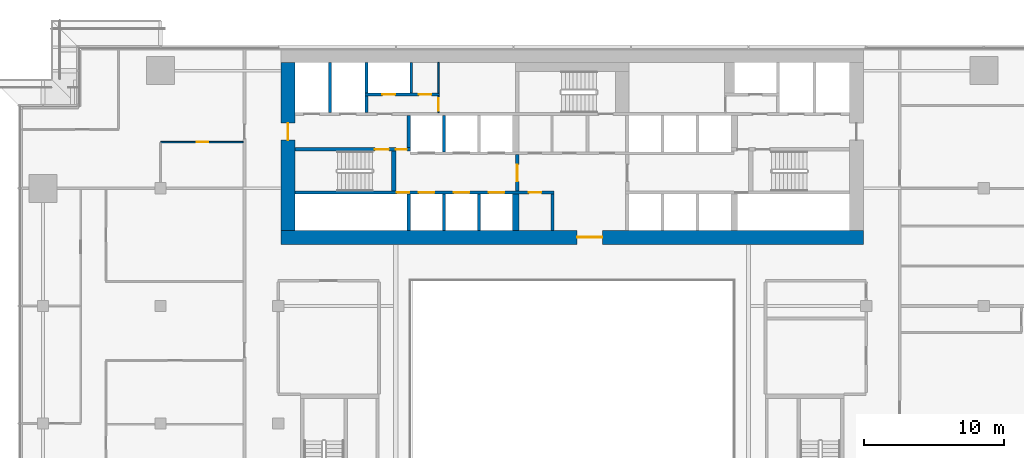
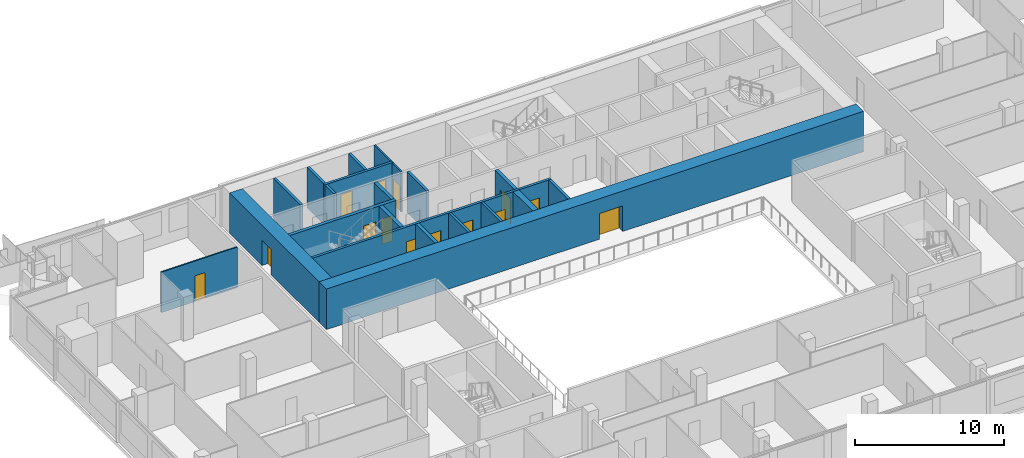
# One storey, part 21 of 30: 21 walls, 14 doors, 14 openings.
"""IFC4 building model written with IfcOpenShell, lengths in metres."""

from ifc_helpers import new_model, si_unit, direction, frame, frame_2d, origin, place, context, subcontext, project, spatial, rectangle, extrude, material, layer, layer_set, type_object, element, fill, save


model = new_model("IFC4")

# Units and contexts
model_context = context("Model", 3, precision=1e-05, world=origin(), true_north=direction((0.0, 1.0)))
body_context = subcontext(model_context, "Body", "Model", "MODEL_VIEW")
ifc_project = project(units=[si_unit("LENGTHUNIT", "METRE"), si_unit("AREAUNIT", "SQUARE_METRE"), si_unit("VOLUMEUNIT", "CUBIC_METRE"), si_unit("PLANEANGLEUNIT", "RADIAN"), si_unit("MASSUNIT", "GRAM", prefix="KILO")], contexts=[model_context])

# Site, building, storey
site_placement = place(None, origin())
site = spatial("IfcSite", under=ifc_project, at=site_placement, CompositionType="ELEMENT")
building_placement = place(site_placement, origin())
building = spatial("IfcBuilding", under=site, at=building_placement, Name="Saffron Gate Tower", CompositionType="ELEMENT")
storey_placement = place(building_placement, frame((0.0, 0.0, 127.64990234375)))
storey = spatial("IfcBuildingStorey", under=building, at=storey_placement, Name="L30", CompositionType="ELEMENT", Elevation=127.64990234375)

# Wall
ifc_material_1 = material(Name="Gypsum board partition on steel studs", Category="steel")
ifc_layer_1 = layer(ifc_material_1, 0.199951171875)
ifc_layer_set_1 = layer_set([ifc_layer_1], Name="CW10 Core partition 200")
wall_type_1 = type_object("IfcWallType", Name="CW10 Core partition 200", PredefinedType="PARTITIONING", material=ifc_layer_set_1)
wall_1_placement = place(storey_placement, frame((86.199951171875, 62.39990234375, 0.0), z_axis=(0.0, 0.0, 1.0), x_axis=(0.0, 1.0, 0.0)))
element("IfcWall", 1, at=wall_1_placement, inside=storey, type_object=wall_type_1, Name="Wall CW10-L30-9", PredefinedType="PARTITIONING", context=body_context, shape_type="SweptSolid", body=[
    extrude(rectangle(XDim=2.60009765625, YDim=0.199951171875, at=frame_2d((1.300048828125, 0.0))), origin(), (0.0, 0.0, 1.0), 3.320068359375),
])

# Wall, opening, door
ifc_material_2 = material(Name="Concrete C70", Category="concrete")
ifc_layer_2 = layer(ifc_material_2, 1.0)
ifc_layer_set_2 = layer_set([ifc_layer_2], Name="CW12 RC core wall 1000 C70")
wall_type_2 = type_object("IfcWallType", Name="CW12 RC core wall 1000 C70", PredefinedType="SOLIDWALL", material=ifc_layer_set_2)
wall_2_placement = place(storey_placement, frame((66.800048828125, 61.89990234375, 0.0), z_axis=(0.0, 0.0, 1.0), x_axis=(1.0, 0.0, 0.0)))
wall_2 = element("IfcWall", 2, at=wall_2_placement, inside=storey, type_object=wall_type_2, Name="Wall CW12-L30-1", PredefinedType="SOLIDWALL", context=body_context, shape_type="SweptSolid", body=[
    extrude(rectangle(XDim=41.599853515625, YDim=1.0, at=frame_2d((20.7998046875, 0.0))), origin(), (0.0, 0.0, 1.0), 3.320068359375),
])
opening_1_placement = place(wall_2_placement, frame((21.14990234375, 0.0, 0.0)))
opening_1 = element("IfcOpeningElement", 3, at=opening_1_placement, cuts=wall_2, Name="Opening CR-09", PredefinedType="OPENING", context=body_context, shape_type="SweptSolid", body=[
    extrude(rectangle(XDim=1.800048828125, YDim=2.10009765625, at=frame_2d((0.89990234375, 1.050048828125))), frame((0.0, 0.510009765625, 0.0), z_axis=(0.0, -1.0, 0.0), x_axis=(1.0, 0.0, 0.0)), (0.0, 0.0, 1.0), 1.02001953125),
])
ifc_material_3 = material(Name="Steel fire door set", Category="steel")
door_type_1 = type_object("IfcDoorType", Name="CD1 Core entrance door 1800x2100 EI 120", OperationType="NOTDEFINED", PredefinedType="DOOR", material=ifc_material_3)
door_1_placement = place(opening_1_placement, origin())
door_1 = element("IfcDoor", 4, at=door_1_placement, inside=storey, type_object=door_type_1, Name="DOOR CR-09", OperationType="DOUBLE_DOOR_SINGLE_SWING", OverallHeight=2.10009765625, OverallWidth=1.800048828125, PredefinedType="DOOR", context=body_context, shape_type="SweptSolid", body=[
    extrude(rectangle(XDim=1.800048828125, YDim=2.10009765625, at=frame_2d((0.89990234375, 1.050048828125))), frame((0.0, 0.02490234375, 0.0), z_axis=(0.0, -1.0, 0.0), x_axis=(1.0, 0.0, 0.0)), (0.0, 0.0, 1.0), 0.050048828125),
])
fill(opening_1, door_1)

wall_3_placement = place(storey_placement, frame((67.300048828125, 62.39990234375, 0.0), z_axis=(0.0, 0.0, 1.0), x_axis=(0.0, 1.0, 0.0)))
wall_3 = element("IfcWall", 5, at=wall_3_placement, inside=storey, type_object=wall_type_2, Name="Wall CW12-L30-3", PredefinedType="SOLIDWALL", context=body_context, shape_type="SweptSolid", body=[
    extrude(rectangle(XDim=12.0, YDim=1.0, at=frame_2d((6.0, 0.0))), origin(), (0.0, 0.0, 1.0), 3.320068359375),
])
opening_2_placement = place(wall_3_placement, frame((6.449951171875, 0.0, 0.0)))
opening_2 = element("IfcOpeningElement", 6, at=opening_2_placement, cuts=wall_3, Name="Opening CR-10", PredefinedType="OPENING", context=body_context, shape_type="SweptSolid", body=[
    extrude(rectangle(XDim=1.199951171875, YDim=2.10009765625, at=frame_2d((0.60009765625, 1.050048828125))), frame((0.0, 0.510009765625, 0.0), z_axis=(0.0, -1.0, 0.0), x_axis=(1.0, 0.0, 0.0)), (0.0, 0.0, 1.0), 1.02001953125),
])
door_type_2 = type_object("IfcDoorType", Name="CD7 Core entrance door 1200x2100 EI 120", OperationType="NOTDEFINED", PredefinedType="DOOR", material=ifc_material_3)
door_2_placement = place(opening_2_placement, origin())
door_2 = element("IfcDoor", 7, at=door_2_placement, inside=storey, type_object=door_type_2, Name="DOOR CR-10", OperationType="SINGLE_SWING_LEFT", OverallHeight=2.10009765625, OverallWidth=1.199951171875, PredefinedType="DOOR", context=body_context, shape_type="SweptSolid", body=[
    extrude(rectangle(XDim=1.199951171875, YDim=2.10009765625, at=frame_2d((0.60009765625, 1.050048828125))), frame((0.0, 0.02490234375, 0.0), z_axis=(0.0, -1.0, 0.0), x_axis=(1.0, 0.0, 0.0)), (0.0, 0.0, 1.0), 0.050048828125),
])
fill(opening_2, door_2)

# Wall
ifc_layer_3 = layer(ifc_material_2, 0.25)
ifc_layer_set_3 = layer_set([ifc_layer_3], Name="CW2 RC core wall 250 C70")
wall_type_3 = type_object("IfcWallType", Name="CW2 RC core wall 250 C70", PredefinedType="SOLIDWALL", material=ifc_layer_set_3)
wall_4_placement = place(storey_placement, frame((75.925048828125, 62.39990234375, 0.0), z_axis=(0.0, 0.0, 1.0), x_axis=(0.0, 1.0, 0.0)))
element("IfcWall", 8, at=wall_4_placement, inside=storey, type_object=wall_type_3, Name="Wall CW2-L30-5", PredefinedType="SOLIDWALL", context=body_context, shape_type="SweptSolid", body=[
    extrude(rectangle(XDim=2.60009765625, YDim=0.25, at=frame_2d((1.300048828125, 0.0))), origin(), (0.0, 0.0, 1.0), 3.320068359375),
])

# Wall, opening, door
wall_5_placement = place(storey_placement, frame((83.675048828125, 65.199951171875, 0.0), z_axis=(0.0, 0.0, 1.0), x_axis=(0.0, 1.0, 0.0)))
wall_5 = element("IfcWall", 9, at=wall_5_placement, inside=storey, type_object=wall_type_3, Name="Wall CW2-L30-17", PredefinedType="SOLIDWALL", context=body_context, shape_type="SweptSolid", body=[
    extrude(rectangle(XDim=2.60009765625, YDim=0.25, at=frame_2d((1.300048828125, 0.0))), origin(), (0.0, 0.0, 1.0), 3.320068359375),
])
opening_3_placement = place(wall_5_placement, frame((0.699951171875, 0.0, 0.0)))
opening_3 = element("IfcOpeningElement", 10, at=opening_3_placement, cuts=wall_5, Name="Opening CR-07", PredefinedType="OPENING", context=body_context, shape_type="SweptSolid", body=[
    extrude(rectangle(XDim=1.199951171875, YDim=2.10009765625, at=frame_2d((0.60009765625, 1.050048828125))), frame((0.0, 0.135009765625, 0.0), z_axis=(0.0, -1.0, 0.0), x_axis=(1.0, 0.0, 0.0)), (0.0, 0.0, 1.0), 0.27001953125),
])
door_type_3 = type_object("IfcDoorType", Name="CD3 Lobby door 1200x2100 EI 120", OperationType="NOTDEFINED", PredefinedType="DOOR", material=ifc_material_3)
door_3_placement = place(opening_3_placement, origin())
door_3 = element("IfcDoor", 11, at=door_3_placement, inside=storey, type_object=door_type_3, Name="DOOR CR-07", OperationType="SINGLE_SWING_RIGHT", OverallHeight=2.10009765625, OverallWidth=1.199951171875, PredefinedType="DOOR", context=body_context, shape_type="SweptSolid", body=[
    extrude(rectangle(XDim=1.199951171875, YDim=2.10009765625, at=frame_2d((0.60009765625, 1.050048828125))), frame((0.0, 0.02490234375, 0.0), z_axis=(0.0, -1.0, 0.0), x_axis=(1.0, 0.0, 0.0)), (0.0, 0.0, 1.0), 0.050048828125),
])
fill(opening_3, door_3)

# Wall, openings, doors
wall_6_placement = place(storey_placement, frame((67.800048828125, 68.175048828125, 0.0), z_axis=(0.0, 0.0, 1.0), x_axis=(1.0, 0.0, 0.0)))
wall_6 = element("IfcWall", 12, at=wall_6_placement, inside=storey, type_object=wall_type_3, Name="Wall CW2-L30-30", PredefinedType="SOLIDWALL", context=body_context, shape_type="SweptSolid", body=[
    extrude(rectangle(XDim=8.25, YDim=0.25, at=frame_2d((4.125, 0.0))), origin(), (0.0, 0.0, 1.0), 3.320068359375),
])
opening_4_placement = place(wall_6_placement, frame((5.699951171875, 0.0, 0.0)))
opening_4 = element("IfcOpeningElement", 13, at=opening_4_placement, cuts=wall_6, Name="Opening CR-15", PredefinedType="OPENING", context=body_context, shape_type="SweptSolid", body=[
    extrude(rectangle(XDim=1.0, YDim=2.10009765625, at=frame_2d((0.5, 1.050048828125))), frame((0.0, 0.135009765625, 0.0), z_axis=(0.0, -1.0, 0.0), x_axis=(1.0, 0.0, 0.0)), (0.0, 0.0, 1.0), 0.27001953125),
])
opening_5_placement = place(wall_6_placement, frame((7.199951171875, 0.0, 0.0)))
opening_5 = element("IfcOpeningElement", 14, at=opening_5_placement, cuts=wall_6, Name="Opening CR-06", PredefinedType="OPENING", context=body_context, shape_type="SweptSolid", body=[
    extrude(rectangle(XDim=0.800048828125, YDim=2.10009765625, at=frame_2d((0.39990234375, 1.050048828125))), frame((0.0, 0.135009765625, 0.0), z_axis=(0.0, -1.0, 0.0), x_axis=(1.0, 0.0, 0.0)), (0.0, 0.0, 1.0), 0.27001953125),
])
door_type_4 = type_object("IfcDoorType", Name="CD5 Stair door 1000x2100 EI 120", OperationType="NOTDEFINED", PredefinedType="DOOR", material=ifc_material_3)
door_4_placement = place(opening_4_placement, origin())
door_4 = element("IfcDoor", 15, at=door_4_placement, inside=storey, type_object=door_type_4, Name="DOOR CR-15", OperationType="SINGLE_SWING_RIGHT", OverallHeight=2.10009765625, OverallWidth=1.0, PredefinedType="DOOR", context=body_context, shape_type="SweptSolid", body=[
    extrude(rectangle(XDim=1.0, YDim=2.10009765625, at=frame_2d((0.5, 1.050048828125))), frame((0.0, 0.02490234375, 0.0), z_axis=(0.0, -1.0, 0.0), x_axis=(1.0, 0.0, 0.0)), (0.0, 0.0, 1.0), 0.050048828125),
])
fill(opening_4, door_4)
door_type_5 = type_object("IfcDoorType", Name="CD6 Lobby door 800x2100 EI 120", OperationType="NOTDEFINED", PredefinedType="DOOR", material=ifc_material_3)
door_5_placement = place(opening_5_placement, origin())
door_5 = element("IfcDoor", 16, at=door_5_placement, inside=storey, type_object=door_type_5, Name="DOOR CR-06", OperationType="SINGLE_SWING_LEFT", OverallHeight=2.10009765625, OverallWidth=0.800048828125, PredefinedType="DOOR", context=body_context, shape_type="SweptSolid", body=[
    extrude(rectangle(XDim=0.800048828125, YDim=2.10009765625, at=frame_2d((0.39990234375, 1.050048828125))), frame((0.0, 0.02490234375, 0.0), z_axis=(0.0, -1.0, 0.0), x_axis=(1.0, 0.0, 0.0)), (0.0, 0.0, 1.0), 0.050048828125),
])
fill(opening_5, door_5)

# Walls
wall_7_placement = place(storey_placement, frame((75.925048828125, 68.300048828125, 0.0), z_axis=(0.0, 0.0, 1.0), x_axis=(0.0, 1.0, 0.0)))
element("IfcWall", 17, at=wall_7_placement, inside=storey, type_object=wall_type_3, Name="Wall CW2-L30-32", PredefinedType="SOLIDWALL", context=body_context, shape_type="SweptSolid", body=[
    extrude(rectangle(XDim=2.300048828125, YDim=0.25, at=frame_2d((1.14990234375, 0.0))), origin(), (0.0, 0.0, 1.0), 3.320068359375),
])
ifc_layer_4 = layer(ifc_material_2, 0.199951171875)
ifc_layer_set_4 = layer_set([ifc_layer_4], Name="CW3 RC core wall 200 C70")
wall_type_4 = type_object("IfcWallType", Name="CW3 RC core wall 200 C70", PredefinedType="SOLIDWALL", material=ifc_layer_set_4)
for number, where, z_axis, x_axis, name in (
    (18, (78.449951171875, 62.39990234375, 0.0), (0.0, 0.0, 1.0), (0.0, 1.0, 0.0), "Wall CW3-L30-6"),
    (19, (80.949951171875, 62.39990234375, 0.0), (0.0, 0.0, 1.0), (0.0, 1.0, 0.0), "Wall CW3-L30-7"),
):
    element("IfcWall", number, at=place(storey_placement, frame(where, z_axis=z_axis, x_axis=x_axis)), inside=storey, type_object=wall_type_4, Name=name, PredefinedType="SOLIDWALL", context=body_context, shape_type="SweptSolid", body=[
        extrude(rectangle(XDim=2.60009765625, YDim=0.199951171875, at=frame_2d((1.300048828125, 0.0))), origin(), (0.0, 0.0, 1.0), 3.320068359375),
    ])

# Wall, openings, doors
wall_8_placement = place(storey_placement, frame((67.800048828125, 65.10009765625, 0.0), z_axis=(0.0, 0.0, 1.0), x_axis=(1.0, 0.0, 0.0)))
wall_8 = element("IfcWall", 20, at=wall_8_placement, inside=storey, type_object=wall_type_4, Name="Wall CW3-L30-14", PredefinedType="SOLIDWALL", context=body_context, shape_type="SweptSolid", body=[
    extrude(rectangle(XDim=18.5, YDim=0.199951171875, at=frame_2d((9.25, 0.0))), origin(), (0.0, 0.0, 1.0), 3.320068359375),
])
opening_6_placement = place(wall_8_placement, frame((7.27001953125, 0.0, 0.0)))
opening_6 = element("IfcOpeningElement", 21, at=opening_6_placement, cuts=wall_8, Name="Opening CR-49", PredefinedType="OPENING", context=body_context, shape_type="SweptSolid", body=[
    extrude(rectangle(XDim=0.89990234375, YDim=2.10009765625, at=frame_2d((0.449951171875, 1.050048828125))), frame((0.0, 0.10986328125, 0.0), z_axis=(0.0, -1.0, 0.0), x_axis=(1.0, 0.0, 0.0)), (0.0, 0.0, 1.0), 0.219970703125),
])
opening_7_placement = place(wall_8_placement, frame((8.85009765625, 0.0, 0.0)))
opening_7 = element("IfcOpeningElement", 22, at=opening_7_placement, cuts=wall_8, Name="Opening LD-LR1", PredefinedType="OPENING", context=body_context, shape_type="SweptSolid", body=[
    extrude(rectangle(XDim=1.10009765625, YDim=2.10009765625, at=frame_2d((0.550048828125, 1.050048828125))), frame((0.0, 0.10986328125, 0.0), z_axis=(0.0, -1.0, 0.0), x_axis=(1.0, 0.0, 0.0)), (0.0, 0.0, 1.0), 0.219970703125),
])
opening_8_placement = place(wall_8_placement, frame((11.35009765625, 0.0, 0.0)))
opening_8 = element("IfcOpeningElement", 23, at=opening_8_placement, cuts=wall_8, Name="Opening LD-LR2", PredefinedType="OPENING", context=body_context, shape_type="SweptSolid", body=[
    extrude(rectangle(XDim=1.10009765625, YDim=2.10009765625, at=frame_2d((0.550048828125, 1.050048828125))), frame((0.0, 0.10986328125, 0.0), z_axis=(0.0, -1.0, 0.0), x_axis=(1.0, 0.0, 0.0)), (0.0, 0.0, 1.0), 0.219970703125),
])
opening_9_placement = place(wall_8_placement, frame((13.85009765625, 0.0, 0.0)))
opening_9 = element("IfcOpeningElement", 24, at=opening_9_placement, cuts=wall_8, Name="Opening LD-LR3", PredefinedType="OPENING", context=body_context, shape_type="SweptSolid", body=[
    extrude(rectangle(XDim=1.10009765625, YDim=2.10009765625, at=frame_2d((0.550048828125, 1.050048828125))), frame((0.0, 0.10986328125, 0.0), z_axis=(0.0, -1.0, 0.0), x_axis=(1.0, 0.0, 0.0)), (0.0, 0.0, 1.0), 0.219970703125),
])
opening_10_placement = place(wall_8_placement, frame((16.699951171875, 0.0, 0.0)))
opening_10 = element("IfcOpeningElement", 25, at=opening_10_placement, cuts=wall_8, Name="Opening CR-69", PredefinedType="OPENING", context=body_context, shape_type="SweptSolid", body=[
    extrude(rectangle(XDim=0.89990234375, YDim=2.10009765625, at=frame_2d((0.449951171875, 1.050048828125))), frame((0.0, 0.10986328125, 0.0), z_axis=(0.0, -1.0, 0.0), x_axis=(1.0, 0.0, 0.0)), (0.0, 0.0, 1.0), 0.219970703125),
])
door_type_6 = type_object("IfcDoorType", Name="CD2 Riser door 900x2100 EI 60", OperationType="NOTDEFINED", PredefinedType="DOOR", material=ifc_material_3)
door_6_placement = place(opening_6_placement, origin())
door_6 = element("IfcDoor", 26, at=door_6_placement, inside=storey, type_object=door_type_6, Name="DOOR CR-49", OperationType="SINGLE_SWING_LEFT", OverallHeight=2.10009765625, OverallWidth=0.89990234375, PredefinedType="DOOR", context=body_context, shape_type="SweptSolid", body=[
    extrude(rectangle(XDim=0.89990234375, YDim=2.10009765625, at=frame_2d((0.449951171875, 1.050048828125))), frame((0.0, 0.02490234375, 0.0), z_axis=(0.0, -1.0, 0.0), x_axis=(1.0, 0.0, 0.0)), (0.0, 0.0, 1.0), 0.050048828125),
])
fill(opening_6, door_6)
door_type_7 = type_object("IfcDoorType", Name="CD9 Room door 900x2100 EI 60", OperationType="NOTDEFINED", PredefinedType="DOOR", material=ifc_material_3)
door_7_placement = place(opening_10_placement, origin())
door_7 = element("IfcDoor", 27, at=door_7_placement, inside=storey, type_object=door_type_7, Name="DOOR CR-69", OperationType="SINGLE_SWING_RIGHT", OverallHeight=2.10009765625, OverallWidth=0.89990234375, PredefinedType="DOOR", context=body_context, shape_type="SweptSolid", body=[
    extrude(rectangle(XDim=0.89990234375, YDim=2.10009765625, at=frame_2d((0.449951171875, 1.050048828125))), frame((0.0, 0.02490234375, 0.0), z_axis=(0.0, -1.0, 0.0), x_axis=(1.0, 0.0, 0.0)), (0.0, 0.0, 1.0), 0.050048828125),
])
fill(opening_10, door_7)
ifc_material_4 = material(Name="Stainless steel landing door", Category="steel")
door_type_8 = type_object("IfcDoorType", Name="LD Lift landing door 1100x2100 EI 120", OperationType="SLIDING_TO_LEFT", PredefinedType="DOOR", material=ifc_material_4)
door_8_placement = place(opening_7_placement, origin())
door_8 = element("IfcDoor", 28, at=door_8_placement, inside=storey, type_object=door_type_8, Name="LANDING DOOR LD-LR1", OperationType="SLIDING_TO_LEFT", OverallHeight=2.10009765625, OverallWidth=1.10009765625, PredefinedType="DOOR", context=body_context, shape_type="SweptSolid", body=[
    extrude(rectangle(XDim=1.10009765625, YDim=2.10009765625, at=frame_2d((0.550048828125, 1.050048828125))), frame((0.0, 0.02490234375, 0.0), z_axis=(0.0, -1.0, 0.0), x_axis=(1.0, 0.0, 0.0)), (0.0, 0.0, 1.0), 0.050048828125),
])
fill(opening_7, door_8)
door_9_placement = place(opening_8_placement, origin())
door_9 = element("IfcDoor", 29, at=door_9_placement, inside=storey, type_object=door_type_8, Name="LANDING DOOR LD-LR2", OperationType="SLIDING_TO_LEFT", OverallHeight=2.10009765625, OverallWidth=1.10009765625, PredefinedType="DOOR", context=body_context, shape_type="SweptSolid", body=[
    extrude(rectangle(XDim=1.10009765625, YDim=2.10009765625, at=frame_2d((0.550048828125, 1.050048828125))), frame((0.0, 0.02490234375, 0.0), z_axis=(0.0, -1.0, 0.0), x_axis=(1.0, 0.0, 0.0)), (0.0, 0.0, 1.0), 0.050048828125),
])
fill(opening_8, door_9)
door_10_placement = place(opening_9_placement, origin())
door_10 = element("IfcDoor", 30, at=door_10_placement, inside=storey, type_object=door_type_8, Name="LANDING DOOR LD-LR3", OperationType="SLIDING_TO_LEFT", OverallHeight=2.10009765625, OverallWidth=1.10009765625, PredefinedType="DOOR", context=body_context, shape_type="SweptSolid", body=[
    extrude(rectangle(XDim=1.10009765625, YDim=2.10009765625, at=frame_2d((0.550048828125, 1.050048828125))), frame((0.0, 0.02490234375, 0.0), z_axis=(0.0, -1.0, 0.0), x_axis=(1.0, 0.0, 0.0)), (0.0, 0.0, 1.0), 0.050048828125),
])
fill(opening_9, door_10)

# Walls
wall_9_placement = place(storey_placement, frame((78.449951171875, 68.0, 0.0), z_axis=(0.0, 0.0, 1.0), x_axis=(0.0, 1.0, 0.0)))
element("IfcWall", 31, at=wall_9_placement, inside=storey, type_object=wall_type_4, Name="Wall CW3-L30-21", PredefinedType="SOLIDWALL", context=body_context, shape_type="SweptSolid", body=[
    extrude(rectangle(XDim=2.60009765625, YDim=0.199951171875, at=frame_2d((1.300048828125, 0.0))), origin(), (0.0, 0.0, 1.0), 3.320068359375),
])
wall_10_placement = place(storey_placement, frame((70.300048828125, 70.800048828125, 0.0), z_axis=(0.0, 0.0, 1.0), x_axis=(0.0, 1.0, 0.0)))
element("IfcWall", 32, at=wall_10_placement, inside=storey, type_object=wall_type_4, Name="Wall CW3-L30-35", PredefinedType="SOLIDWALL", context=body_context, shape_type="SweptSolid", body=[
    extrude(rectangle(XDim=3.599853515625, YDim=0.199951171875, at=frame_2d((1.7998046875, 0.0))), origin(), (0.0, 0.0, 1.0), 3.320068359375),
])
wall_11_placement = place(storey_placement, frame((72.89990234375, 70.800048828125, 0.0), z_axis=(0.0, 0.0, 1.0), x_axis=(0.0, 1.0, 0.0)))
element("IfcWall", 33, at=wall_11_placement, inside=storey, type_object=wall_type_4, Name="Wall CW3-L30-36", PredefinedType="SOLIDWALL", context=body_context, shape_type="SweptSolid", body=[
    extrude(rectangle(XDim=1.199951171875, YDim=0.199951171875, at=frame_2d((0.60009765625, 0.0))), origin(), (0.0, 0.0, 1.0), 3.320068359375),
])

# Wall, openings, doors
wall_12_placement = place(storey_placement, frame((72.800048828125, 72.10009765625, 0.0), z_axis=(0.0, 0.0, 1.0), x_axis=(1.0, 0.0, 0.0)))
wall_12 = element("IfcWall", 34, at=wall_12_placement, inside=storey, type_object=wall_type_4, Name="Wall CW3-L30-43", PredefinedType="SOLIDWALL", context=body_context, shape_type="SweptSolid", body=[
    extrude(rectangle(XDim=5.320068359375, YDim=0.199951171875, at=frame_2d((2.66015625, 0.0))), origin(), (0.0, 0.0, 1.0), 3.320068359375),
])
opening_11_placement = place(wall_12_placement, frame((1.25, 0.0, 0.0)))
opening_11 = element("IfcOpeningElement", 35, at=opening_11_placement, cuts=wall_12, Name="Opening CR-71", PredefinedType="OPENING", context=body_context, shape_type="SweptSolid", body=[
    extrude(rectangle(XDim=0.89990234375, YDim=2.10009765625, at=frame_2d((0.449951171875, 1.050048828125))), frame((0.0, 0.10986328125, 0.0), z_axis=(0.0, -1.0, 0.0), x_axis=(1.0, 0.0, 0.0)), (0.0, 0.0, 1.0), 0.219970703125),
])
opening_12_placement = place(wall_12_placement, frame((3.85009765625, 0.0, 0.0)))
opening_12 = element("IfcOpeningElement", 36, at=opening_12_placement, cuts=wall_12, Name="Opening CR-55", PredefinedType="OPENING", context=body_context, shape_type="SweptSolid", body=[
    extrude(rectangle(XDim=0.89990234375, YDim=2.10009765625, at=frame_2d((0.449951171875, 1.050048828125))), frame((0.0, 0.10986328125, 0.0), z_axis=(0.0, -1.0, 0.0), x_axis=(1.0, 0.0, 0.0)), (0.0, 0.0, 1.0), 0.219970703125),
])
door_11_placement = place(opening_11_placement, origin())
door_11 = element("IfcDoor", 37, at=door_11_placement, inside=storey, type_object=door_type_6, Name="DOOR CR-71", OperationType="SINGLE_SWING_LEFT", OverallHeight=2.10009765625, OverallWidth=0.89990234375, PredefinedType="DOOR", context=body_context, shape_type="SweptSolid", body=[
    extrude(rectangle(XDim=0.89990234375, YDim=2.10009765625, at=frame_2d((0.449951171875, 1.050048828125))), frame((0.0, 0.02490234375, 0.0), z_axis=(0.0, -1.0, 0.0), x_axis=(1.0, 0.0, 0.0)), (0.0, 0.0, 1.0), 0.050048828125),
])
fill(opening_11, door_11)
door_12_placement = place(opening_12_placement, origin())
door_12 = element("IfcDoor", 38, at=door_12_placement, inside=storey, type_object=door_type_7, Name="DOOR CR-55", OperationType="SINGLE_SWING_LEFT", OverallHeight=2.10009765625, OverallWidth=0.89990234375, PredefinedType="DOOR", context=body_context, shape_type="SweptSolid", body=[
    extrude(rectangle(XDim=0.89990234375, YDim=2.10009765625, at=frame_2d((0.449951171875, 1.050048828125))), frame((0.0, 0.02490234375, 0.0), z_axis=(0.0, -1.0, 0.0), x_axis=(1.0, 0.0, 0.0)), (0.0, 0.0, 1.0), 0.050048828125),
])
fill(opening_12, door_12)

# Walls
for number, where, z_axis, x_axis, name in (
    (39, (72.89990234375, 72.199951171875, 0.0), (0.0, 0.0, 1.0), (0.0, 1.0, 0.0), "Wall CW3-L30-45"),
    (40, (76.10009765625, 72.199951171875, 0.0), (0.0, 0.0, 1.0), (0.0, 1.0, 0.0), "Wall CW3-L30-46"),
):
    element("IfcWall", number, at=place(storey_placement, frame(where, z_axis=z_axis, x_axis=x_axis)), inside=storey, type_object=wall_type_4, Name=name, PredefinedType="SOLIDWALL", context=body_context, shape_type="SweptSolid", body=[
        extrude(rectangle(XDim=2.199951171875, YDim=0.199951171875, at=frame_2d((1.10009765625, 0.0))), origin(), (0.0, 0.0, 1.0), 3.320068359375),
    ])
ifc_layer_5 = layer(ifc_material_2, 0.449951171875)
ifc_layer_set_5 = layer_set([ifc_layer_5], Name="CW4 RC core wall 450 C70")
wall_type_5 = type_object("IfcWallType", Name="CW4 RC core wall 450 C70", PredefinedType="SOLIDWALL", material=ifc_layer_set_5)
wall_13_placement = place(storey_placement, frame((83.574951171875, 62.39990234375, 0.0), z_axis=(0.0, 0.0, 1.0), x_axis=(0.0, 1.0, 0.0)))
element("IfcWall", 41, at=wall_13_placement, inside=storey, type_object=wall_type_5, Name="Wall CW4-L30-8", PredefinedType="SOLIDWALL", context=body_context, shape_type="SweptSolid", body=[
    extrude(rectangle(XDim=2.60009765625, YDim=0.449951171875, at=frame_2d((1.300048828125, 0.0))), origin(), (0.0, 0.0, 1.0), 3.320068359375),
])
ifc_layer_6 = layer(ifc_material_2, 0.300048828125)
ifc_layer_set_6 = layer_set([ifc_layer_6], Name="CW5 RC core wall 300 C70")
wall_type_6 = type_object("IfcWallType", Name="CW5 RC core wall 300 C70", PredefinedType="SOLIDWALL", material=ifc_layer_set_6)
wall_14_placement = place(storey_placement, frame((74.85009765625, 65.199951171875, 0.0), z_axis=(0.0, 0.0, 1.0), x_axis=(0.0, 1.0, 0.0)))
element("IfcWall", 42, at=wall_14_placement, inside=storey, type_object=wall_type_6, Name="Wall CW5-L30-16", PredefinedType="SOLIDWALL", context=body_context, shape_type="SweptSolid", body=[
    extrude(rectangle(XDim=2.85009765625, YDim=0.300048828125, at=frame_2d((1.425048828125, 0.0))), origin(), (0.0, 0.0, 1.0), 3.320068359375),
])

# Wall, opening, door
ifc_layer_7 = layer(ifc_material_1, 0.1201171875)
ifc_layer_set_7 = layer_set([ifc_layer_7], Name="CW8 Core partition 120")
wall_type_7 = type_object("IfcWallType", Name="CW8 Core partition 120", PredefinedType="PARTITIONING", material=ifc_layer_set_7)
wall_15_placement = place(storey_placement, frame((78.06005859375, 70.800048828125, 0.0), z_axis=(0.0, 0.0, 1.0), x_axis=(0.0, 1.0, 0.0)))
wall_15 = element("IfcWall", 43, at=wall_15_placement, inside=storey, type_object=wall_type_7, Name="Wall CW8-L30-37", PredefinedType="PARTITIONING", context=body_context, shape_type="SweptSolid", body=[
    extrude(rectangle(XDim=1.199951171875, YDim=0.1201171875, at=frame_2d((0.60009765625, 0.0))), origin(), (0.0, 0.0, 1.0), 3.320068359375),
])
opening_13_placement = place(wall_15_placement, frame((0.14990234375, 0.0, 0.0)))
opening_13 = element("IfcOpeningElement", 44, at=opening_13_placement, cuts=wall_15, Name="Opening CR-60", PredefinedType="OPENING", context=body_context, shape_type="SweptSolid", body=[
    extrude(rectangle(XDim=0.89990234375, YDim=2.10009765625, at=frame_2d((0.449951171875, 1.050048828125))), frame((0.0, 0.070068359375, 0.0), z_axis=(0.0, -1.0, 0.0), x_axis=(1.0, 0.0, 0.0)), (0.0, 0.0, 1.0), 0.14013671875),
])
door_13_placement = place(opening_13_placement, origin())
door_13 = element("IfcDoor", 45, at=door_13_placement, inside=storey, type_object=door_type_7, Name="DOOR CR-60", OperationType="SINGLE_SWING_RIGHT", OverallHeight=2.10009765625, OverallWidth=0.89990234375, PredefinedType="DOOR", context=body_context, shape_type="SweptSolid", body=[
    extrude(rectangle(XDim=0.89990234375, YDim=2.10009765625, at=frame_2d((0.449951171875, 1.050048828125))), frame((0.0, 0.02490234375, 0.0), z_axis=(0.0, -1.0, 0.0), x_axis=(1.0, 0.0, 0.0)), (0.0, 0.0, 1.0), 0.050048828125),
])
fill(opening_13, door_13)

# Wall
wall_16_placement = place(storey_placement, frame((78.06005859375, 72.199951171875, 0.0), z_axis=(0.0, 0.0, 1.0), x_axis=(0.0, 1.0, 0.0)))
element("IfcWall", 46, at=wall_16_placement, inside=storey, type_object=wall_type_7, Name="Wall CW8-L30-47", PredefinedType="PARTITIONING", context=body_context, shape_type="SweptSolid", body=[
    extrude(rectangle(XDim=2.199951171875, YDim=0.1201171875, at=frame_2d((1.10009765625, 0.0))), origin(), (0.0, 0.0, 1.0), 3.320068359375),
])

# Wall, opening, door
ifc_material_5 = material(Name="Plasterboard on steel studs", Category="steel")
ifc_layer_8 = layer(ifc_material_5, 0.10009765625)
ifc_layer_set_8 = layer_set([ifc_layer_8], Name="PW1 Partition 100")
wall_type_8 = type_object("IfcWallType", Name="PW1 Partition 100", PredefinedType="PARTITIONING", material=ifc_layer_set_8)
wall_17_placement = place(storey_placement, frame((64.10009765625, 68.699951171875, 0.0), z_axis=(0.0, 0.0, 1.0), x_axis=(-1.0, 0.0, 0.0)))
wall_17 = element("IfcWall", 47, at=wall_17_placement, inside=storey, type_object=wall_type_8, Name="Partition B4-49", PredefinedType="PARTITIONING", context=body_context, shape_type="SweptSolid", body=[
    extrude(rectangle(XDim=5.900146484375, YDim=0.10009765625, at=frame_2d((2.9501953125, 0.0))), origin(), (0.0, 0.0, 1.0), 3.320068359375),
])
opening_14_placement = place(wall_17_placement, frame((2.5, 0.0, 0.0)))
opening_14 = element("IfcOpeningElement", 48, at=opening_14_placement, cuts=wall_17, Name="Opening B4-44", PredefinedType="OPENING", context=body_context, shape_type="SweptSolid", body=[
    extrude(rectangle(XDim=0.800048828125, YDim=2.10009765625, at=frame_2d((0.39990234375, 1.050048828125))), frame((0.0, 0.06005859375, 0.0), z_axis=(0.0, -1.0, 0.0), x_axis=(1.0, 0.0, 0.0)), (0.0, 0.0, 1.0), 0.1201171875),
])
ifc_material_6 = material(Name="Timber door set", Category="wood")
door_type_9 = type_object("IfcDoorType", Name="RD2 Bathroom door 800x2100", OperationType="NOTDEFINED", PredefinedType="DOOR", material=ifc_material_6)
door_14_placement = place(opening_14_placement, origin())
door_14 = element("IfcDoor", 49, at=door_14_placement, inside=storey, type_object=door_type_9, Name="Door B4-44", OperationType="SINGLE_SWING_LEFT", OverallHeight=2.10009765625, OverallWidth=0.800048828125, PredefinedType="DOOR", context=body_context, shape_type="SweptSolid", body=[
    extrude(rectangle(XDim=0.800048828125, YDim=2.10009765625, at=frame_2d((0.39990234375, 1.050048828125))), frame((0.0, 0.02490234375, 0.0), z_axis=(0.0, -1.0, 0.0), x_axis=(1.0, 0.0, 0.0)), (0.0, 0.0, 1.0), 0.050048828125),
])
fill(opening_14, door_14)

save(model, "model.ifc")
